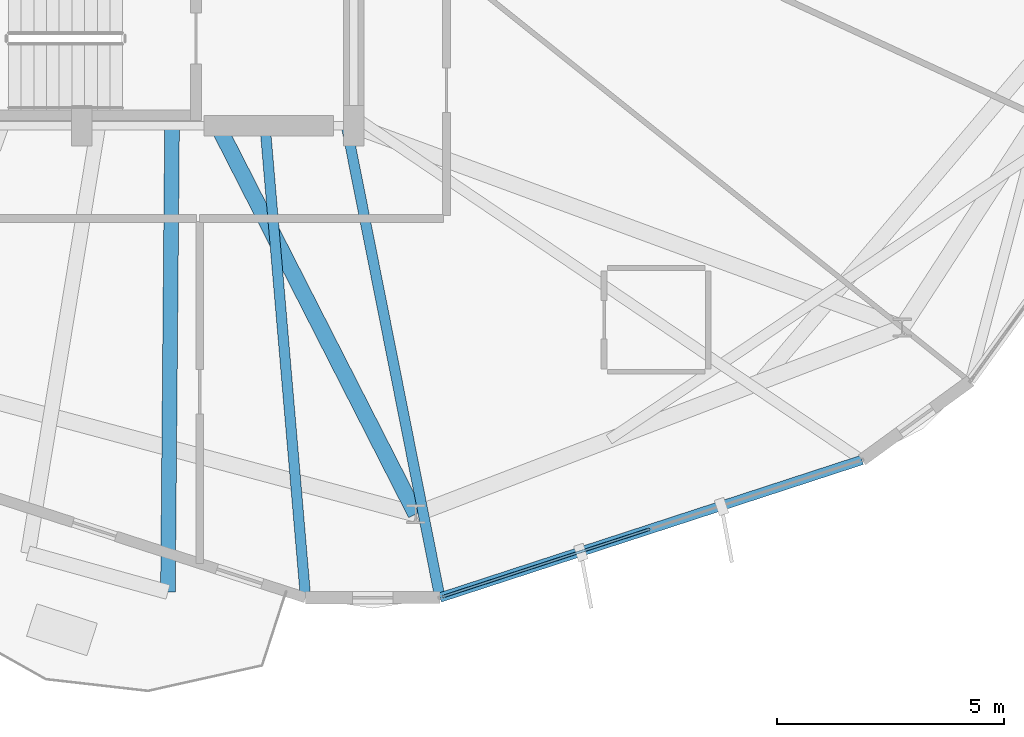
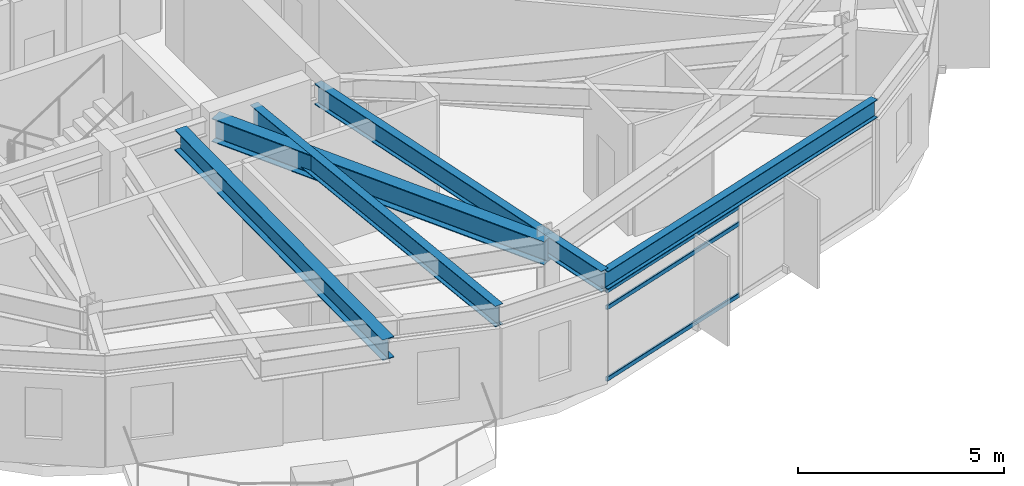
# One storey, part 6 of 31: 5 beams, 3 members, 1 element without a shape of its own.
"""IFC4 building model written with IfcOpenShell, lengths in metres."""

import ifcopenshell
import ifcopenshell.guid

model = None  # the IFC model being written
_history = None  # IfcOwnerHistory: only IFC2X3 demands one
_inside = {}  # id of a spatial element -> (the spatial element, [elements in it])
_under = {}  # id of a project, library or spatial element -> (it, [spatial elements below it])
_declared = {}  # id of a project -> (the project, [libraries it declares])
_typed = {}  # id of a type object -> (the type object, [elements of that type])
_made_of = {}  # id of a material, layer set ... -> (it, [elements and type objects made of it])


def new_model(schema):
    """Start an empty IFC model of exactly this schema.

    Asked for "IFC4X3", IfcOpenShell would pick the latest addendum, in which some entities
    have other attributes; the version numbers below select the first issue.
    IFC2X3 requires an IfcOwnerHistory on every rooted entity: one is made here for all.
    """
    global model, _history
    if schema == "IFC4X3":
        model = ifcopenshell.file(schema_version=(4, 3, 0, 0))
    else:
        model = ifcopenshell.file(schema=schema)
    _inside.clear()
    _under.clear()
    _declared.clear()
    _typed.clear()
    _made_of.clear()
    _history = None
    if model.schema == "IFC2X3":
        org = make("IfcOrganization", Name="unknown")
        user = make(
            "IfcPersonAndOrganization",
            ThePerson=make("IfcPerson", FamilyName="unknown"),
            TheOrganization=org,
        )
        app = make(
            "IfcApplication",
            ApplicationDeveloper=org,
            Version="unknown",
            ApplicationFullName="unknown",
            ApplicationIdentifier="unknown",
        )
        _history = make(
            "IfcOwnerHistory",
            OwningUser=user,
            OwningApplication=app,
            ChangeAction="ADDED",
            CreationDate=0,
        )
    return model


def make(cls, **values):
    """One entity of the class cls with the attributes given. An attribute that is None is left unset."""
    return model.create_entity(
        cls, **{name: value for name, value in values.items() if value is not None}
    )


def rooted(cls, **values):
    """An entity with a GlobalId (a new one), such as an element, a storey or a relation."""
    return make(cls, GlobalId=ifcopenshell.guid.new(), OwnerHistory=_history, **values)


def si_unit(unit_type, name, prefix=None):
    """IfcSIUnit, for example si_unit("LENGTHUNIT", "METRE", prefix="MILLI")."""
    return make("IfcSIUnit", UnitType=unit_type, Prefix=prefix, Name=name)


def assignment(units):
    """IfcUnitAssignment: the units of a project."""
    return None if units is None else make("IfcUnitAssignment", Units=units)


def point(xyz):
    """IfcCartesianPoint."""
    return None if xyz is None else make("IfcCartesianPoint", Coordinates=xyz)


def direction(xyz):
    """IfcDirection."""
    return None if xyz is None else make("IfcDirection", DirectionRatios=xyz)


def frame(location, z_axis=None, x_axis=None):
    """IfcAxis2Placement3D, a coordinate frame: its origin and axes. An axis left out is left unset."""
    return make(
        "IfcAxis2Placement3D",
        Location=point(location),
        Axis=direction(z_axis),
        RefDirection=direction(x_axis),
    )


def frame_2d(location, x_axis=None):
    """IfcAxis2Placement2D, a coordinate frame in the plane: its origin and x axis."""
    return make(
        "IfcAxis2Placement2D", Location=point(location), RefDirection=direction(x_axis)
    )


def origin():
    """The frame at (0, 0, 0) with its axes left unset."""
    return frame((0.0, 0.0, 0.0))


def origin_2d():
    """The frame at (0, 0) in the plane with its x axis left unset."""
    return frame_2d((0.0, 0.0))


def place(relative_to, where):
    """IfcLocalPlacement: puts the frame where relative to a parent placement (None: the world)."""
    return make(
        "IfcLocalPlacement", PlacementRelTo=relative_to, RelativePlacement=where
    )


def context(
    kind, dimensions, precision=None, world=None, true_north=None, identifier=None
):
    """IfcGeometricRepresentationContext, for example the 3D "Model" context."""
    return make(
        "IfcGeometricRepresentationContext",
        ContextIdentifier=identifier,
        ContextType=kind,
        CoordinateSpaceDimension=dimensions,
        Precision=precision,
        WorldCoordinateSystem=world,
        TrueNorth=true_north,
    )


def subcontext(parent, identifier, kind, view, scale=None):
    """IfcGeometricRepresentationSubContext, for example "Body" below "Model"."""
    return make(
        "IfcGeometricRepresentationSubContext",
        ContextIdentifier=identifier,
        ContextType=kind,
        ParentContext=parent,
        TargetScale=scale,
        TargetView=view,
    )


def project(units=None, contexts=None):
    """IfcProject with its units and contexts."""
    return rooted(
        "IfcProject",
        Name="project",
        RepresentationContexts=contexts,
        UnitsInContext=assignment(units),
    )


def spatial(cls, under=None, at=None, **own):
    """A site, building, storey or space (cls), placed at a placement, below another one or the project."""
    s = rooted(cls, ObjectPlacement=at, **own)
    if under is not None:
        _under.setdefault(under.id(), (under, []))[1].append(s)
    return s


def profile(cls, at=None, kind="AREA", **sizes):
    """A parametric profile (cls). Its sizes go by their IFC names, for example OverallWidth=200.0."""
    return make(cls, ProfileType=kind, Position=at, **sizes)


def hollow_rectangle(**sizes):
    """IfcRectangleHollowProfileDef."""
    return profile("IfcRectangleHollowProfileDef", **sizes)


def i_section(**sizes):
    """IfcIShapeProfileDef."""
    return profile("IfcIShapeProfileDef", **sizes)


def extrude(swept, where, along, depth):
    """IfcExtrudedAreaSolid: the profile swept, set in the frame where, extruded along a direction by depth."""
    return make(
        "IfcExtrudedAreaSolid",
        SweptArea=swept,
        Position=where,
        ExtrudedDirection=direction(along),
        Depth=depth,
    )


def shape(context_of_items, identifier, shape_type, items):
    """IfcShapeRepresentation: the items that make up one representation, for example the "Body"."""
    return make(
        "IfcShapeRepresentation",
        ContextOfItems=context_of_items,
        RepresentationIdentifier=identifier,
        RepresentationType=shape_type,
        Items=items,
    )


def material(Name=None, Category=None):
    """IfcMaterial."""
    return make("IfcMaterial", Name=Name, Category=Category)


def layer(
    of_material, thickness, ventilated=None, Name=None, Category=None, Priority=None
):
    """IfcMaterialLayer: one layer of a wall or slab, of a material (None: an air gap)."""
    return make(
        "IfcMaterialLayer",
        Material=of_material,
        LayerThickness=thickness,
        IsVentilated=ventilated,
        Name=Name,
        Category=Category,
        Priority=Priority,
    )


def layer_set(layers, Name=None):
    """IfcMaterialLayerSet."""
    return make("IfcMaterialLayerSet", MaterialLayers=layers, LayerSetName=Name)


def material_profile(
    of_material, cross_section, Name=None, Category=None, Priority=None
):
    """IfcMaterialProfile: a cross section and its material."""
    return make(
        "IfcMaterialProfile",
        Name=Name,
        Material=of_material,
        Profile=cross_section,
        Priority=Priority,
        Category=Category,
    )


def profile_set(profiles, Name=None, composite=None):
    """IfcMaterialProfileSet."""
    return make(
        "IfcMaterialProfileSet",
        Name=Name,
        MaterialProfiles=profiles,
        CompositeProfile=composite,
    )


def made_of(thing, what):
    """Note that an element or type object is made of a material, layer set ...; save() writes the relation."""
    if what is not None:
        _made_of.setdefault(what.id(), (what, []))[1].append(thing)
    return thing


def type_object(cls, material=None, **own):
    """A type object (cls), such as IfcWallType, which elements share."""
    return made_of(rooted(cls, **own), material)


def element(
    cls,
    number,
    at=None,
    inside=None,
    cuts=None,
    type_object=None,
    material=None,
    context=None,
    identifier="Body",
    shape_type=None,
    held_by="IfcProductDefinitionShape",
    body=None,
    shapes=None,
    **own,
):
    """One element of the class cls, such as IfcWall. Its Tag is "e" and its number.

    at: its placement. inside: the storey or other place that contains it. cuts: it is an
    opening in that element (IfcRelVoidsElement). A single representation is given by context,
    identifier, shape_type and body (its items); several are given by shapes. held_by: the class
    of the entity that holds the representations. save() writes the other relations.
    """
    e = rooted(cls, Tag="e%d" % number, ObjectPlacement=at, **own)
    if body is not None:
        shapes = [shape(context, identifier, shape_type, body)]
    if shapes is not None:
        e.Representation = make(held_by, Representations=shapes)
    if inside is not None:
        _inside.setdefault(inside.id(), (inside, []))[1].append(e)
    if cuts is not None:
        rooted(
            "IfcRelVoidsElement", RelatingBuildingElement=cuts, RelatedOpeningElement=e
        )
    if type_object is not None:
        _typed.setdefault(type_object.id(), (type_object, []))[1].append(e)
    return made_of(e, material)


def aggregate(whole, parts):
    """IfcRelAggregates: a whole, such as a stair, and the parts it consists of."""
    return rooted("IfcRelAggregates", RelatingObject=whole, RelatedObjects=parts)


def save(model, path):
    """Write the relations noted so far, then the file.

    IfcRelAggregates (storeys below a building ...), IfcRelContainedInSpatialStructure (elements
    in a storey), IfcRelDefinesByType, IfcRelAssociatesMaterial and IfcRelDeclares: one each for
    every whole, place, type object, material and project.
    """
    for whole, parts in _under.values():
        aggregate(whole, parts)
    for where, things in _inside.values():
        rooted(
            "IfcRelContainedInSpatialStructure",
            RelatedElements=things,
            RelatingStructure=where,
        )
    for kind, things in _typed.values():
        rooted("IfcRelDefinesByType", RelatedObjects=things, RelatingType=kind)
    for what, things in _made_of.values():
        rooted("IfcRelAssociatesMaterial", RelatedObjects=things, RelatingMaterial=what)
    for by, libraries in _declared.values():
        rooted("IfcRelDeclares", RelatingContext=by, RelatedDefinitions=libraries)
    model.write(path)


model = new_model("IFC4")

# Units and contexts
model_context = context("Model", 3, precision=1e-05, world=origin(), true_north=direction((0.0, 1.0)))
body_context = subcontext(model_context, "Body", "Model", "MODEL_VIEW")
ifc_project = project(units=[si_unit("LENGTHUNIT", "METRE"), si_unit("AREAUNIT", "SQUARE_METRE"), si_unit("VOLUMEUNIT", "CUBIC_METRE"), si_unit("PLANEANGLEUNIT", "RADIAN"), si_unit("MASSUNIT", "GRAM", prefix="KILO")], contexts=[model_context])

# Site, building, storey
site_placement = place(None, origin())
site = spatial("IfcSite", under=ifc_project, at=site_placement, CompositionType="ELEMENT")
building_placement = place(site_placement, origin())
building = spatial("IfcBuilding", under=site, at=building_placement, Name="Soratama Intermodal Tower", CompositionType="ELEMENT")
storey_placement = place(building_placement, frame((0.0, 0.0, 230.199951171875)))
storey = spatial("IfcBuildingStorey", under=building, at=storey_placement, Name="L58", CompositionType="ELEMENT", Elevation=230.199951171875)

# Beams
ifc_material_1 = material(Name="Structural steel ASTM A992 Grade 50", Category="steel")
ifc_material_profile_1 = material_profile(ifc_material_1, i_section(OverallWidth=0.324951171875, OverallDepth=0.615966796875, WebThickness=0.013916015625, FlangeThickness=0.021484375, FilletRadius=0.013916015625, at=origin_2d()), Name="W24X117")
ifc_profile_set_1 = profile_set([ifc_material_profile_1], Name="Structural steel ASTM A992 Grade 50")
beam_type_1 = type_object("IfcBeamType", Name="BM-CANT-W24X117", PredefinedType="BEAM", material=ifc_profile_set_1)
beam_1_placement = place(storey_placement, frame((40.590087890625, 14.9599609375, 2.991943359375), z_axis=(-0.008783702269, -0.999961422543, 0.0), x_axis=(0.999961422543, -0.008783702269, 0.0)))
element("IfcBeam", 1, at=beam_1_placement, inside=storey, type_object=beam_type_1, Name="BM-L58-CANT-3-2", PredefinedType="BEAM", context=body_context, shape_type="SweptSolid", body=[
    extrude(i_section(OverallWidth=0.324951171875, OverallDepth=0.615966796875, WebThickness=0.013916015625, FlangeThickness=0.021484375, FilletRadius=0.013916015625, at=origin_2d()), origin(), (0.0, 0.0, 1.0), 10.25634765625),
])
ifc_material_2 = material(Name="Structural steel ASTM A992 Grade 50", Category="steel")
ifc_material_profile_2 = material_profile(ifc_material_2, i_section(OverallWidth=0.35498046875, OverallDepth=0.695068359375, WebThickness=0.015380859375, FlangeThickness=0.02490234375, FilletRadius=0.01611328125, at=origin_2d()), Name="W27X146")
ifc_profile_set_2 = profile_set([ifc_material_profile_2], Name="Structural steel ASTM A992 Grade 50")
beam_type_2 = type_object("IfcBeamType", Name="BM-RING-W27X146", PredefinedType="BEAM", material=ifc_profile_set_2)
beam_2_placement = place(storey_placement, frame((41.60009765625, 15.0, 2.95263671875), z_axis=(0.454332323157, -0.890832273851, 0.0), x_axis=(0.890832273851, 0.454332323157, 0.0)))
element("IfcBeam", 2, at=beam_2_placement, inside=storey, type_object=beam_type_2, Name="BM-L58-RAD-08", PredefinedType="BEAM", context=body_context, shape_type="SweptSolid", body=[
    extrude(i_section(OverallWidth=0.35498046875, OverallDepth=0.695068359375, WebThickness=0.015380859375, FlangeThickness=0.02490234375, FilletRadius=0.01611328125, at=origin_2d()), origin(), (0.0, 0.0, 1.0), 9.624755859375),
])
ifc_material_3 = material(Name="Structural steel ASTM A992 Grade 50", Category="steel")
ifc_material_profile_3 = material_profile(ifc_material_3, i_section(OverallWidth=0.2099609375, OverallDepth=0.537109375, WebThickness=0.010986328125, FlangeThickness=0.017333984375, FilletRadius=0.012939453125, at=origin_2d()), Name="W21X68")
ifc_profile_set_3 = profile_set([ifc_material_profile_3], Name="Structural steel ASTM A992 Grade 50")
beam_type_3 = type_object("IfcBeamType", Name="BM-SPN-W21X68", PredefinedType="SPANDREL", material=ifc_profile_set_3)
beam_3_placement = place(storey_placement, frame((46.5048828125, 4.5830078125, 3.031494140625), z_axis=(0.950714032191, 0.31006907133, 0.0), x_axis=(-0.31006907133, 0.950714032191, 0.0)))
element("IfcBeam", 3, at=beam_3_placement, inside=storey, type_object=beam_type_3, Name="BS-L58-F07", PredefinedType="SPANDREL", context=body_context, shape_type="SweptSolid", body=[
    extrude(i_section(OverallWidth=0.2099609375, OverallDepth=0.537109375, WebThickness=0.010986328125, FlangeThickness=0.017333984375, FilletRadius=0.012939453125, at=origin_2d()), origin(), (0.0, 0.0, 1.0), 9.798095703125),
])
ifc_material_4 = material(Name="Structural steel ASTM A992 Grade 50", Category="steel")
ifc_material_profile_4 = material_profile(ifc_material_4, i_section(OverallWidth=0.22900390625, OverallDepth=0.612060546875, WebThickness=0.011962890625, FlangeThickness=0.01953125, FilletRadius=0.012939453125, at=origin_2d()), Name="W24X84")
ifc_profile_set_4 = profile_set([ifc_material_profile_4], Name="Structural steel ASTM A992 Grade 50")
beam_type_4 = type_object("IfcBeamType", Name="BM-TIE-W24X84", PredefinedType="BEAM", material=ifc_profile_set_4)
beam_4_placement = place(storey_placement, frame((42.64697265625, 14.9599609375, 2.994140625), z_axis=(0.085535403866, -0.996335131713, 0.0), x_axis=(0.996335131713, 0.085535403866, 0.0)))
element("IfcBeam", 4, at=beam_4_placement, inside=storey, type_object=beam_type_4, Name="BM-L58-TIE1-06", PredefinedType="BEAM", context=body_context, shape_type="SweptSolid", body=[
    extrude(i_section(OverallWidth=0.22900390625, OverallDepth=0.612060546875, WebThickness=0.011962890625, FlangeThickness=0.01953125, FilletRadius=0.012939453125, at=origin_2d()), origin(), (0.0, 0.0, 1.0), 10.41796875),
])
beam_5_placement = place(storey_placement, frame((44.447021484375, 14.9609375, 2.994140625), z_axis=(0.19450500969, -0.980901524724, 0.0), x_axis=(0.980901524724, 0.19450500969, 0.0)))
element("IfcBeam", 5, at=beam_5_placement, inside=storey, type_object=beam_type_4, Name="BM-L58-TIE0-07", PredefinedType="BEAM", context=body_context, shape_type="SweptSolid", body=[
    extrude(i_section(OverallWidth=0.22900390625, OverallDepth=0.612060546875, WebThickness=0.011962890625, FlangeThickness=0.01953125, FilletRadius=0.012939453125, at=origin_2d()), origin(), (0.0, 0.0, 1.0), 10.580078125),
])

# Curtain wall, members
ifc_material_5 = material(Name="Double-glazed aluminium curtain wall", Category="aluminium")
ifc_layer = layer(ifc_material_5, 0.159912109375)
ifc_layer_set = layer_set([ifc_layer], Name="Double-glazed aluminium curtain wall")
curtain_wall_type = type_object("IfcCurtainWallType", Name="CW-SYS-5", PredefinedType="NOTDEFINED", material=ifc_layer_set)
curtain_wall_placement = place(storey_placement, origin())
curtain_wall = element("IfcCurtainWall", 6, at=curtain_wall_placement, inside=storey, type_object=curtain_wall_type, Name="L58 Faceted Curtain Wall F07", PredefinedType="NOTDEFINED")
ifc_material_6 = material(Name="Anodised aluminium AA 6063-T6", Category="aluminium")
ifc_material_profile_5 = material_profile(ifc_material_6, hollow_rectangle(XDim=0.06005859375, YDim=0.1298828125, WallThickness=0.0048828125, InnerFilletRadius=0.0048828125, OuterFilletRadius=0.010009765625, at=origin_2d()), Name="CWT130X60X5")
ifc_profile_set_5 = profile_set([ifc_material_profile_5], Name="Anodised aluminium AA 6063-T6")
member_type = type_object("IfcMemberType", Name="TT-CWT-2", PredefinedType="USERDEFINED", material=ifc_profile_set_5)
member_1_placement = place(storey_placement, frame((46.561767578125, 4.60205078125, 0.030029296875), z_axis=(0.950719429031, 0.310052523395, 0.0), x_axis=(-0.310052523395, 0.950719429031, 0.0)))
member_1 = element("IfcMember", 7, at=member_1_placement, type_object=member_type, Name="CW-5 transom 1.1", ObjectType="TRANSOM", PredefinedType="USERDEFINED", context=body_context, shape_type="SweptSolid", body=[
    extrude(hollow_rectangle(XDim=0.06005859375, YDim=0.1298828125, WallThickness=0.0048828125, InnerFilletRadius=0.0048828125, OuterFilletRadius=0.010009765625, at=origin_2d()), origin(), (0.0, 0.0, 1.0), 4.808837890625),
])
member_2_placement = place(storey_placement, frame((46.561767578125, 4.60205078125, 2.150146484375), z_axis=(0.950719429031, 0.310052523395, 0.0), x_axis=(-0.310052523395, 0.950719429031, 0.0)))
member_2 = element("IfcMember", 8, at=member_2_placement, type_object=member_type, Name="CW-5 transom 1.2", ObjectType="TRANSOM", PredefinedType="USERDEFINED", context=body_context, shape_type="SweptSolid", body=[
    extrude(hollow_rectangle(XDim=0.06005859375, YDim=0.1298828125, WallThickness=0.0048828125, InnerFilletRadius=0.0048828125, OuterFilletRadius=0.010009765625, at=origin_2d()), origin(), (0.0, 0.0, 1.0), 4.808837890625),
])
member_3_placement = place(storey_placement, frame((46.561767578125, 4.60205078125, 2.649169921875), z_axis=(0.950719429031, 0.310052523395, 0.0), x_axis=(-0.310052523395, 0.950719429031, 0.0)))
member_3 = element("IfcMember", 9, at=member_3_placement, type_object=member_type, Name="CW-5 transom 1.3", ObjectType="TRANSOM", PredefinedType="USERDEFINED", context=body_context, shape_type="SweptSolid", body=[
    extrude(hollow_rectangle(XDim=0.06005859375, YDim=0.1298828125, WallThickness=0.0048828125, InnerFilletRadius=0.0048828125, OuterFilletRadius=0.010009765625, at=origin_2d()), origin(), (0.0, 0.0, 1.0), 4.808837890625),
])
aggregate(curtain_wall, [member_1, member_2, member_3])

save(model, "model.ifc")
